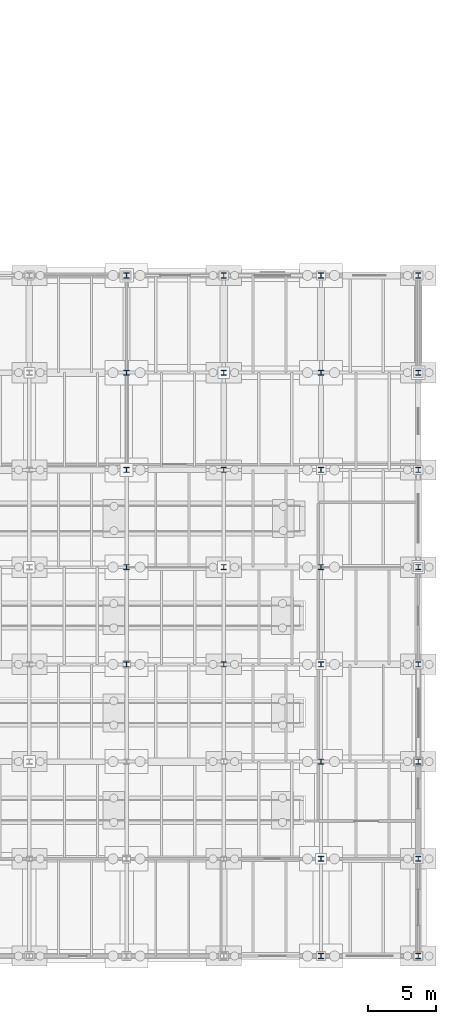
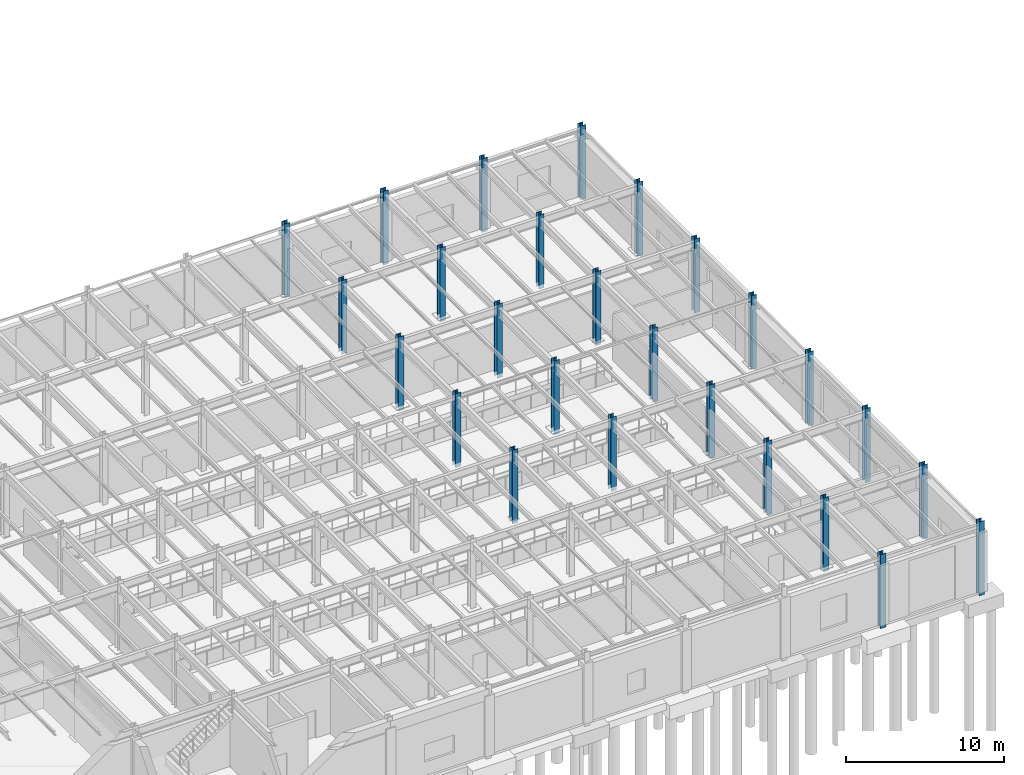
# One storey, part 30 of 293: 26 columns.
"""IFC4 building model written with IfcOpenShell, lengths in metres."""

from ifc_helpers import new_model, si_unit, direction, frame, origin, origin_2d, place, context, subcontext, project, spatial, i_section, extrude, material, material_profile, profile_set, type_object, element, save


model = new_model("IFC4")

# Units and contexts
model_context = context("Model", 3, precision=1e-05, world=origin(), true_north=direction((0.0, 1.0)))
body_context = subcontext(model_context, "Body", "Model", "MODEL_VIEW")
ifc_project = project(units=[si_unit("LENGTHUNIT", "METRE"), si_unit("AREAUNIT", "SQUARE_METRE"), si_unit("VOLUMEUNIT", "CUBIC_METRE"), si_unit("PLANEANGLEUNIT", "RADIAN"), si_unit("MASSUNIT", "GRAM", prefix="KILO")], contexts=[model_context])

# Site, building, storey
site_placement = place(None, origin())
site = spatial("IfcSite", under=ifc_project, at=site_placement, CompositionType="ELEMENT")
building_placement = place(site_placement, origin())
building = spatial("IfcBuilding", under=site, at=building_placement, Name="Kemerveld Promenade Tramway Depot", CompositionType="ELEMENT")
storey_placement = place(building_placement, origin())
storey = spatial("IfcBuildingStorey", under=building, at=storey_placement, Name="L00", CompositionType="ELEMENT", Elevation=0.0)

# Columns
ifc_material = material(Name="Steel S355", Category="steel")
ifc_material_profile = material_profile(ifc_material, i_section(OverallWidth=0.394775390625, OverallDepth=0.381103515625, WebThickness=0.018310546875, FlangeThickness=0.0302734375, FilletRadius=0.01513671875, at=origin_2d()), Name="356x406x235 UC")
ifc_profile_set = profile_set([ifc_material_profile], Name="Steel S355")
column_type = type_object("IfcColumnType", Name="COL-S02", PredefinedType="COLUMN", material=ifc_profile_set)
for number, where, z_axis, x_axis, name in (
    (1, (194.39990234375, 21.60009765625, -0.300048828125), (0.0, 0.0, 1.0), (1.0, 0.0, 0.0), "COL-L00-28-D"),
    (2, (194.39990234375, 28.800048828125, -0.300048828125), (0.0, 0.0, 1.0), (1.0, 0.0, 0.0), "COL-L00-28-E"),
    (3, (194.39990234375, 36.0, -0.300048828125), (0.0, 0.0, 1.0), (1.0, 0.0, 0.0), "COL-L00-28-F"),
    (4, (194.39990234375, 43.199951171875, -0.300048828125), (0.0, 0.0, 1.0), (1.0, 0.0, 0.0), "COL-L00-28-G"),
    (5, (194.39990234375, 50.39990234375, -0.300048828125), (0.0, 0.0, 1.0), (1.0, 0.0, 0.0), "COL-L00-28-H"),
    (6, (201.60009765625, 21.60009765625, -0.300048828125), (0.0, 0.0, 1.0), (1.0, 0.0, 0.0), "COL-L00-29-D"),
    (7, (201.60009765625, 28.800048828125, -0.300048828125), (0.0, 0.0, 1.0), (1.0, 0.0, 0.0), "COL-L00-29-E"),
    (8, (201.60009765625, 36.0, -0.300048828125), (0.0, 0.0, 1.0), (1.0, 0.0, 0.0), "COL-L00-29-F"),
    (9, (201.60009765625, 43.199951171875, -0.300048828125), (0.0, 0.0, 1.0), (1.0, 0.0, 0.0), "COL-L00-29-G"),
    (10, (201.60009765625, 50.39990234375, -0.300048828125), (0.0, 0.0, 1.0), (1.0, 0.0, 0.0), "COL-L00-29-H"),
    (11, (208.800048828125, 0.0, -0.300048828125), (0.0, 0.0, 1.0), (1.0, 0.0, 0.0), "COL-L00-30-A"),
    (12, (208.800048828125, 7.199951171875, -0.300048828125), (0.0, 0.0, 1.0), (1.0, 0.0, 0.0), "COL-L00-30-B"),
    (13, (208.800048828125, 14.39990234375, -0.300048828125), (0.0, 0.0, 1.0), (1.0, 0.0, 0.0), "COL-L00-30-C"),
    (14, (208.800048828125, 21.60009765625, -0.300048828125), (0.0, 0.0, 1.0), (1.0, 0.0, 0.0), "COL-L00-30-D"),
    (15, (208.800048828125, 28.800048828125, -0.300048828125), (0.0, 0.0, 1.0), (1.0, 0.0, 0.0), "COL-L00-30-E"),
    (16, (208.800048828125, 36.0, -0.300048828125), (0.0, 0.0, 1.0), (1.0, 0.0, 0.0), "COL-L00-30-F"),
    (17, (208.800048828125, 43.199951171875, -0.300048828125), (0.0, 0.0, 1.0), (1.0, 0.0, 0.0), "COL-L00-30-G"),
    (18, (208.800048828125, 50.39990234375, -0.300048828125), (0.0, 0.0, 1.0), (1.0, 0.0, 0.0), "COL-L00-30-H"),
    (19, (216.0, 0.0, -0.300048828125), (0.0, 0.0, 1.0), (1.0, 0.0, 0.0), "COL-L00-31-A"),
    (20, (216.0, 7.199951171875, -0.300048828125), (0.0, 0.0, 1.0), (1.0, 0.0, 0.0), "COL-L00-31-B"),
    (21, (216.0, 14.39990234375, -0.300048828125), (0.0, 0.0, 1.0), (1.0, 0.0, 0.0), "COL-L00-31-C"),
    (22, (216.0, 21.60009765625, -0.300048828125), (0.0, 0.0, 1.0), (1.0, 0.0, 0.0), "COL-L00-31-D"),
    (23, (216.0, 28.800048828125, -0.300048828125), (0.0, 0.0, 1.0), (1.0, 0.0, 0.0), "COL-L00-31-E"),
    (24, (216.0, 36.0, -0.300048828125), (0.0, 0.0, 1.0), (1.0, 0.0, 0.0), "COL-L00-31-F"),
    (25, (216.0, 43.199951171875, -0.300048828125), (0.0, 0.0, 1.0), (1.0, 0.0, 0.0), "COL-L00-31-G"),
    (26, (216.0, 50.39990234375, -0.300048828125), (0.0, 0.0, 1.0), (1.0, 0.0, 0.0), "COL-L00-31-H"),
):
    element("IfcColumn", number, at=place(storey_placement, frame(where, z_axis=z_axis, x_axis=x_axis)), inside=storey, type_object=column_type, Name=name, PredefinedType="COLUMN", context=body_context, shape_type="SweptSolid", body=[
        extrude(i_section(OverallWidth=0.394775390625, OverallDepth=0.381103515625, WebThickness=0.018310546875, FlangeThickness=0.0302734375, FilletRadius=0.01513671875, at=origin_2d()), origin(), (0.0, 0.0, 1.0), 5.699951171875),
    ])

save(model, "model.ifc")
